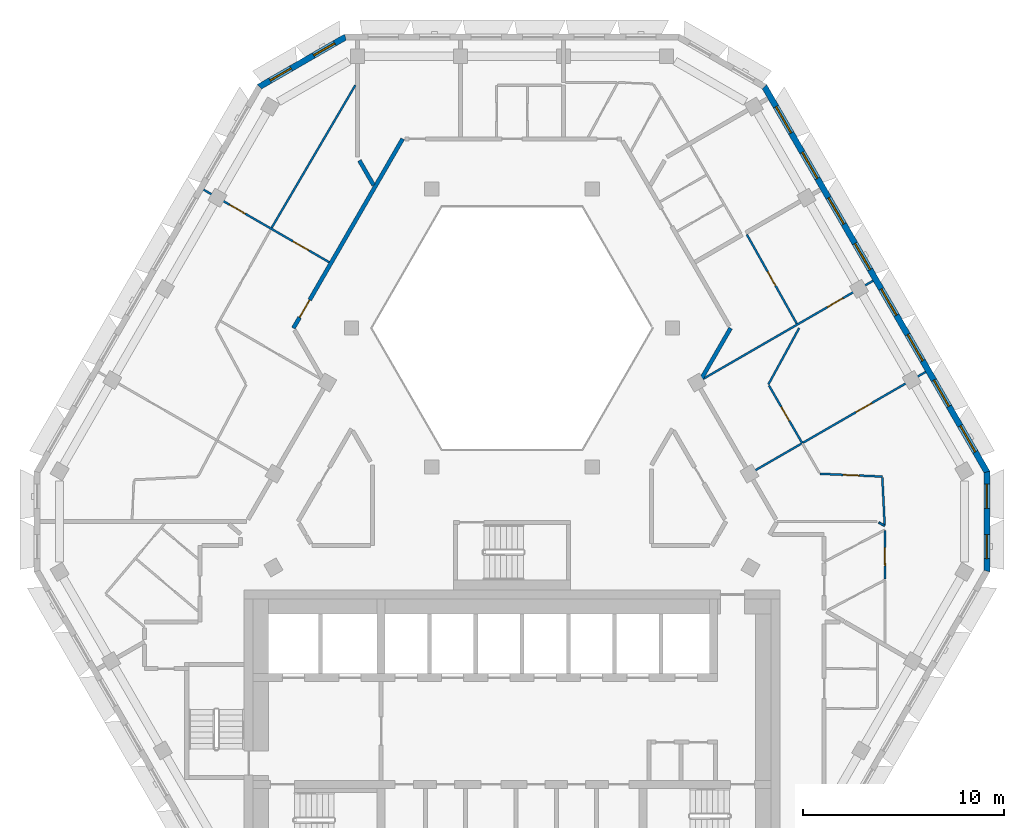
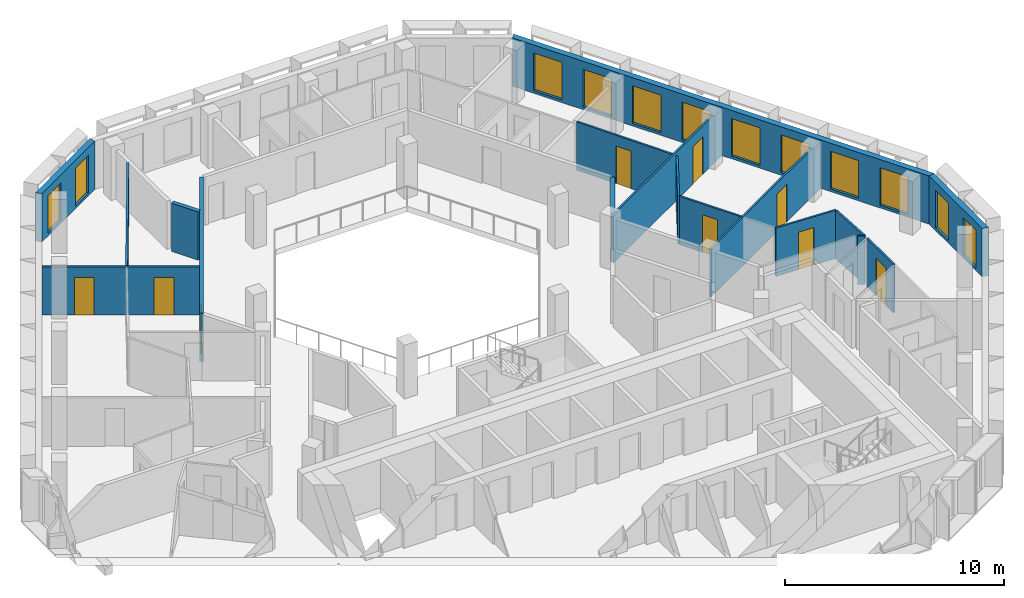
# One storey, part 7 of 16: 17 walls, 12 windows, 9 doors, 21 openings.
"""IFC4 building model written with IfcOpenShell, lengths in metres."""

from ifc_helpers import new_model, si_unit, direction, frame, frame_2d, origin, place, context, subcontext, project, spatial, polyline, rectangle, outline, extrude, material, layer, layer_set, type_object, element, fill, save


model = new_model("IFC4")

# Units and contexts
model_context = context("Model", 3, precision=1e-05, world=origin(), true_north=direction((0.0, 1.0)))
body_context = subcontext(model_context, "Body", "Model", "MODEL_VIEW")
ifc_project = project(units=[si_unit("LENGTHUNIT", "METRE"), si_unit("AREAUNIT", "SQUARE_METRE"), si_unit("VOLUMEUNIT", "CUBIC_METRE"), si_unit("PLANEANGLEUNIT", "RADIAN"), si_unit("MASSUNIT", "GRAM", prefix="KILO")], contexts=[model_context])

# Site, building, storey
site_placement = place(None, origin())
site = spatial("IfcSite", under=ifc_project, at=site_placement, CompositionType="ELEMENT")
building_placement = place(site_placement, origin())
building = spatial("IfcBuilding", under=site, at=building_placement, Name="Beryl Residences", CompositionType="ELEMENT")
storey_placement = place(building_placement, frame((0.0, 0.0, 226.800048828125)))
storey = spatial("IfcBuildingStorey", under=building, at=storey_placement, Name="L70", CompositionType="ELEMENT", Elevation=226.800048828125)

# Wall, openings, windows
ifc_material_1 = material(Name="Composite metal panel with mineral wool insulation")
ifc_layer_1 = layer(ifc_material_1, 0.300048828125)
ifc_layer_set_1 = layer_set([ifc_layer_1], Name="ES1 pale metal composite panel wall 300 mm")
wall_type_1 = type_object("IfcWallType", Name="ES1 pale metal composite panel wall 300 mm", PredefinedType="SOLIDWALL", material=ifc_layer_set_1)
wall_1_placement = place(storey_placement, frame((-8.239013671875, 22.469970703125, 0.0), z_axis=(0.0, 0.0, 1.0), x_axis=(-0.866022959057, -0.500004234368, 0.0)))
wall_1 = element("IfcWall", 1, at=wall_1_placement, inside=storey, type_object=wall_type_1, Name="ES1 external wall L70 N-NW", PredefinedType="SOLIDWALL", context=body_context, shape_type="SweptSolid", body=[
    extrude(outline(polyline([(0.0, -0.14990234375), (5.0, -0.14990234375), (4.919677734375, 0.14990234375), (0.080322265625, 0.14990234375), (0.0, -0.14990234375)])), origin(), (0.0, 0.0, 1.0), 2.699951171875),
])
opening_1_placement = place(wall_1_placement, frame((0.64990234375, 0.0, 0.14990234375)))
opening_1 = element("IfcOpeningElement", 2, at=opening_1_placement, cuts=wall_1, Name="Opening W2", PredefinedType="OPENING", context=body_context, shape_type="SweptSolid", body=[
    extrude(rectangle(XDim=1.199951171875, YDim=2.10009765625, at=frame_2d((0.60009765625, 1.050048828125))), frame((0.0, 0.159912109375, 0.0), z_axis=(0.0, -1.0, 0.0), x_axis=(1.0, 0.0, 0.0)), (0.0, 0.0, 1.0), 0.320068359375),
])
opening_2_placement = place(wall_1_placement, frame((3.14892578125, 0.0, 0.14990234375)))
opening_2 = element("IfcOpeningElement", 3, at=opening_2_placement, cuts=wall_1, Name="Opening W2", PredefinedType="OPENING", context=body_context, shape_type="SweptSolid", body=[
    extrude(rectangle(XDim=1.199951171875, YDim=2.10009765625, at=frame_2d((0.60009765625, 1.050048828125))), frame((0.0, 0.159912109375, 0.0), z_axis=(0.0, -1.0, 0.0), x_axis=(1.0, 0.0, 0.0)), (0.0, 0.0, 1.0), 0.320068359375),
])
ifc_material_2 = material(Name="Aluminium and clear glass", Category="aluminium")
window_type_1 = type_object("IfcWindowType", Name="W2 chamfer window 1200 x 2100 mm", PartitioningType="SINGLE_PANEL", PredefinedType="WINDOW", material=ifc_material_2)
window_1_placement = place(opening_1_placement, origin())
window_1 = element("IfcWindow", 4, at=window_1_placement, inside=storey, type_object=window_type_1, Name="W2 window L70 N-NW 1", OverallHeight=2.10009765625, OverallWidth=1.199951171875, PartitioningType="SINGLE_PANEL", PredefinedType="WINDOW", context=body_context, shape_type="SweptSolid", body=[
    extrude(rectangle(XDim=1.199951171875, YDim=2.10009765625, at=frame_2d((0.60009765625, 1.050048828125))), frame((0.0, 0.030029296875, 0.0), z_axis=(0.0, -1.0, 0.0), x_axis=(1.0, 0.0, 0.0)), (0.0, 0.0, 1.0), 0.06005859375),
])
fill(opening_1, window_1)
window_2_placement = place(opening_2_placement, origin())
window_2 = element("IfcWindow", 5, at=window_2_placement, inside=storey, type_object=window_type_1, Name="W2 window L70 N-NW 2", OverallHeight=2.10009765625, OverallWidth=1.199951171875, PartitioningType="SINGLE_PANEL", PredefinedType="WINDOW", context=body_context, shape_type="SweptSolid", body=[
    extrude(rectangle(XDim=1.199951171875, YDim=2.10009765625, at=frame_2d((0.60009765625, 1.050048828125))), frame((0.0, 0.030029296875, 0.0), z_axis=(0.0, -1.0, 0.0), x_axis=(1.0, 0.0, 0.0)), (0.0, 0.0, 1.0), 0.06005859375),
])
fill(opening_2, window_2)

wall_2_placement = place(storey_placement, frame((23.5791015625, -4.10009765625, 0.0), z_axis=(0.0, 0.0, 1.0), x_axis=(0.0, 1.0, 0.0)))
wall_2 = element("IfcWall", 6, at=wall_2_placement, inside=storey, type_object=wall_type_1, Name="ES1 external wall L70 SE-NE", PredefinedType="SOLIDWALL", context=body_context, shape_type="SweptSolid", body=[
    extrude(outline(polyline([(0.0, -0.14990234375), (5.0, -0.14990234375), (4.919677734375, 0.14990234375), (0.080322265625, 0.14990234375), (0.0, -0.14990234375)])), origin(), (0.0, 0.0, 1.0), 2.699951171875),
])
opening_3_placement = place(wall_2_placement, frame((0.64990234375, 0.0, 0.14990234375)))
opening_3 = element("IfcOpeningElement", 7, at=opening_3_placement, cuts=wall_2, Name="Opening W2", PredefinedType="OPENING", context=body_context, shape_type="SweptSolid", body=[
    extrude(rectangle(XDim=1.199951171875, YDim=2.10009765625, at=frame_2d((0.60009765625, 1.050048828125))), frame((0.0, 0.159912109375, 0.0), z_axis=(0.0, -1.0, 0.0), x_axis=(1.0, 0.0, 0.0)), (0.0, 0.0, 1.0), 0.320068359375),
])
opening_4_placement = place(wall_2_placement, frame((3.14990234375, 0.0, 0.14990234375)))
opening_4 = element("IfcOpeningElement", 8, at=opening_4_placement, cuts=wall_2, Name="Opening W2", PredefinedType="OPENING", context=body_context, shape_type="SweptSolid", body=[
    extrude(rectangle(XDim=1.199951171875, YDim=2.10009765625, at=frame_2d((0.60009765625, 1.050048828125))), frame((0.0, 0.159912109375, 0.0), z_axis=(0.0, -1.0, 0.0), x_axis=(1.0, 0.0, 0.0)), (0.0, 0.0, 1.0), 0.320068359375),
])
window_3_placement = place(opening_3_placement, origin())
window_3 = element("IfcWindow", 9, at=window_3_placement, inside=storey, type_object=window_type_1, Name="W2 window L70 SE-NE 1", OverallHeight=2.10009765625, OverallWidth=1.199951171875, PartitioningType="SINGLE_PANEL", PredefinedType="WINDOW", context=body_context, shape_type="SweptSolid", body=[
    extrude(rectangle(XDim=1.199951171875, YDim=2.10009765625, at=frame_2d((0.60009765625, 1.050048828125))), frame((0.0, 0.030029296875, 0.0), z_axis=(0.0, -1.0, 0.0), x_axis=(1.0, 0.0, 0.0)), (0.0, 0.0, 1.0), 0.06005859375),
])
fill(opening_3, window_3)
window_4_placement = place(opening_4_placement, origin())
window_4 = element("IfcWindow", 10, at=window_4_placement, inside=storey, type_object=window_type_1, Name="W2 window L70 SE-NE 2", OverallHeight=2.10009765625, OverallWidth=1.199951171875, PartitioningType="SINGLE_PANEL", PredefinedType="WINDOW", context=body_context, shape_type="SweptSolid", body=[
    extrude(rectangle(XDim=1.199951171875, YDim=2.10009765625, at=frame_2d((0.60009765625, 1.050048828125))), frame((0.0, 0.030029296875, 0.0), z_axis=(0.0, -1.0, 0.0), x_axis=(1.0, 0.0, 0.0)), (0.0, 0.0, 1.0), 0.06005859375),
])
fill(opening_4, window_4)

wall_3_placement = place(storey_placement, frame((23.59912109375, 0.824951171875, 0.0), z_axis=(0.0, 0.0, 1.0), x_axis=(-0.500003656944, 0.866023292436, 0.0)))
wall_3 = element("IfcWall", 11, at=wall_3_placement, inside=storey, type_object=wall_type_1, Name="ES1 external wall L70 NE", PredefinedType="SOLIDWALL", context=body_context, shape_type="SweptSolid", body=[
    extrude(outline(polyline([(0.0, -0.14990234375), (22.170166015625, -0.14990234375), (22.08984375, 0.14990234375), (0.080322265625, 0.14990234375), (0.0, -0.14990234375)])), origin(), (0.0, 0.0, 1.0), 2.699951171875),
])
opening_5_placement = place(wall_3_placement, frame((1.19091796875, 0.0, 0.14990234375)))
opening_5 = element("IfcOpeningElement", 12, at=opening_5_placement, cuts=wall_3, Name="Opening W1", PredefinedType="OPENING", context=body_context, shape_type="SweptSolid", body=[
    extrude(rectangle(XDim=1.5, YDim=2.10009765625, at=frame_2d((0.75, 1.050048828125))), frame((0.0, 0.159912109375, 0.0), z_axis=(0.0, -1.0, 0.0), x_axis=(1.0, 0.0, 0.0)), (0.0, 0.0, 1.0), 0.320068359375),
])
opening_6_placement = place(wall_3_placement, frame((3.803955078125, 0.0, 0.14990234375)))
opening_6 = element("IfcOpeningElement", 13, at=opening_6_placement, cuts=wall_3, Name="Opening W1", PredefinedType="OPENING", context=body_context, shape_type="SweptSolid", body=[
    extrude(rectangle(XDim=1.5, YDim=2.10009765625, at=frame_2d((0.75, 1.050048828125))), frame((0.0, 0.159912109375, 0.0), z_axis=(0.0, -1.0, 0.0), x_axis=(1.0, 0.0, 0.0)), (0.0, 0.0, 1.0), 0.320068359375),
])
opening_7_placement = place(wall_3_placement, frame((6.4169921875, 0.0, 0.14990234375)))
opening_7 = element("IfcOpeningElement", 14, at=opening_7_placement, cuts=wall_3, Name="Opening W1", PredefinedType="OPENING", context=body_context, shape_type="SweptSolid", body=[
    extrude(rectangle(XDim=1.5, YDim=2.10009765625, at=frame_2d((0.75, 1.050048828125))), frame((0.0, 0.159912109375, 0.0), z_axis=(0.0, -1.0, 0.0), x_axis=(1.0, 0.0, 0.0)), (0.0, 0.0, 1.0), 0.320068359375),
])
opening_8_placement = place(wall_3_placement, frame((9.029052734375, 0.0, 0.14990234375)))
opening_8 = element("IfcOpeningElement", 15, at=opening_8_placement, cuts=wall_3, Name="Opening W1", PredefinedType="OPENING", context=body_context, shape_type="SweptSolid", body=[
    extrude(rectangle(XDim=1.5, YDim=2.10009765625, at=frame_2d((0.75, 1.050048828125))), frame((0.0, 0.159912109375, 0.0), z_axis=(0.0, -1.0, 0.0), x_axis=(1.0, 0.0, 0.0)), (0.0, 0.0, 1.0), 0.320068359375),
])
opening_9_placement = place(wall_3_placement, frame((11.64111328125, 0.0, 0.14990234375)))
opening_9 = element("IfcOpeningElement", 16, at=opening_9_placement, cuts=wall_3, Name="Opening W1", PredefinedType="OPENING", context=body_context, shape_type="SweptSolid", body=[
    extrude(rectangle(XDim=1.5, YDim=2.10009765625, at=frame_2d((0.75, 1.050048828125))), frame((0.0, 0.159912109375, 0.0), z_axis=(0.0, -1.0, 0.0), x_axis=(1.0, 0.0, 0.0)), (0.0, 0.0, 1.0), 0.320068359375),
])
opening_10_placement = place(wall_3_placement, frame((14.25390625, 0.0, 0.14990234375)))
opening_10 = element("IfcOpeningElement", 17, at=opening_10_placement, cuts=wall_3, Name="Opening W1", PredefinedType="OPENING", context=body_context, shape_type="SweptSolid", body=[
    extrude(rectangle(XDim=1.5, YDim=2.10009765625, at=frame_2d((0.75, 1.050048828125))), frame((0.0, 0.159912109375, 0.0), z_axis=(0.0, -1.0, 0.0), x_axis=(1.0, 0.0, 0.0)), (0.0, 0.0, 1.0), 0.320068359375),
])
opening_11_placement = place(wall_3_placement, frame((16.865966796875, 0.0, 0.14990234375)))
opening_11 = element("IfcOpeningElement", 18, at=opening_11_placement, cuts=wall_3, Name="Opening W1", PredefinedType="OPENING", context=body_context, shape_type="SweptSolid", body=[
    extrude(rectangle(XDim=1.5, YDim=2.10009765625, at=frame_2d((0.75, 1.050048828125))), frame((0.0, 0.159912109375, 0.0), z_axis=(0.0, -1.0, 0.0), x_axis=(1.0, 0.0, 0.0)), (0.0, 0.0, 1.0), 0.320068359375),
])
opening_12_placement = place(wall_3_placement, frame((19.47900390625, 0.0, 0.14990234375)))
opening_12 = element("IfcOpeningElement", 19, at=opening_12_placement, cuts=wall_3, Name="Opening W1", PredefinedType="OPENING", context=body_context, shape_type="SweptSolid", body=[
    extrude(rectangle(XDim=1.5, YDim=2.10009765625, at=frame_2d((0.75, 1.050048828125))), frame((0.0, 0.159912109375, 0.0), z_axis=(0.0, -1.0, 0.0), x_axis=(1.0, 0.0, 0.0)), (0.0, 0.0, 1.0), 0.320068359375),
])
ifc_material_3 = material(Name="Aluminium and clear glass", Category="aluminium")
window_type_2 = type_object("IfcWindowType", Name="W1 cell window 1500 x 2100 mm", PartitioningType="SINGLE_PANEL", PredefinedType="WINDOW", material=ifc_material_3)
window_5_placement = place(opening_5_placement, origin())
window_5 = element("IfcWindow", 20, at=window_5_placement, inside=storey, type_object=window_type_2, Name="W1 window L70 NE 1", OverallHeight=2.10009765625, OverallWidth=1.5, PartitioningType="SINGLE_PANEL", PredefinedType="WINDOW", context=body_context, shape_type="SweptSolid", body=[
    extrude(rectangle(XDim=1.5, YDim=2.10009765625, at=frame_2d((0.75, 1.050048828125))), frame((0.0, 0.030029296875, 0.0), z_axis=(0.0, -1.0, 0.0), x_axis=(1.0, 0.0, 0.0)), (0.0, 0.0, 1.0), 0.06005859375),
])
fill(opening_5, window_5)
window_6_placement = place(opening_6_placement, origin())
window_6 = element("IfcWindow", 21, at=window_6_placement, inside=storey, type_object=window_type_2, Name="W1 window L70 NE 2", OverallHeight=2.10009765625, OverallWidth=1.5, PartitioningType="SINGLE_PANEL", PredefinedType="WINDOW", context=body_context, shape_type="SweptSolid", body=[
    extrude(rectangle(XDim=1.5, YDim=2.10009765625, at=frame_2d((0.75, 1.050048828125))), frame((0.0, 0.030029296875, 0.0), z_axis=(0.0, -1.0, 0.0), x_axis=(1.0, 0.0, 0.0)), (0.0, 0.0, 1.0), 0.06005859375),
])
fill(opening_6, window_6)
window_7_placement = place(opening_7_placement, origin())
window_7 = element("IfcWindow", 22, at=window_7_placement, inside=storey, type_object=window_type_2, Name="W1 window L70 NE 3", OverallHeight=2.10009765625, OverallWidth=1.5, PartitioningType="SINGLE_PANEL", PredefinedType="WINDOW", context=body_context, shape_type="SweptSolid", body=[
    extrude(rectangle(XDim=1.5, YDim=2.10009765625, at=frame_2d((0.75, 1.050048828125))), frame((0.0, 0.030029296875, 0.0), z_axis=(0.0, -1.0, 0.0), x_axis=(1.0, 0.0, 0.0)), (0.0, 0.0, 1.0), 0.06005859375),
])
fill(opening_7, window_7)
window_8_placement = place(opening_8_placement, origin())
window_8 = element("IfcWindow", 23, at=window_8_placement, inside=storey, type_object=window_type_2, Name="W1 window L70 NE 4", OverallHeight=2.10009765625, OverallWidth=1.5, PartitioningType="SINGLE_PANEL", PredefinedType="WINDOW", context=body_context, shape_type="SweptSolid", body=[
    extrude(rectangle(XDim=1.5, YDim=2.10009765625, at=frame_2d((0.75, 1.050048828125))), frame((0.0, 0.030029296875, 0.0), z_axis=(0.0, -1.0, 0.0), x_axis=(1.0, 0.0, 0.0)), (0.0, 0.0, 1.0), 0.06005859375),
])
fill(opening_8, window_8)
window_9_placement = place(opening_9_placement, origin())
window_9 = element("IfcWindow", 24, at=window_9_placement, inside=storey, type_object=window_type_2, Name="W1 window L70 NE 5", OverallHeight=2.10009765625, OverallWidth=1.5, PartitioningType="SINGLE_PANEL", PredefinedType="WINDOW", context=body_context, shape_type="SweptSolid", body=[
    extrude(rectangle(XDim=1.5, YDim=2.10009765625, at=frame_2d((0.75, 1.050048828125))), frame((0.0, 0.030029296875, 0.0), z_axis=(0.0, -1.0, 0.0), x_axis=(1.0, 0.0, 0.0)), (0.0, 0.0, 1.0), 0.06005859375),
])
fill(opening_9, window_9)
window_10_placement = place(opening_10_placement, origin())
window_10 = element("IfcWindow", 25, at=window_10_placement, inside=storey, type_object=window_type_2, Name="W1 window L70 NE 6", OverallHeight=2.10009765625, OverallWidth=1.5, PartitioningType="SINGLE_PANEL", PredefinedType="WINDOW", context=body_context, shape_type="SweptSolid", body=[
    extrude(rectangle(XDim=1.5, YDim=2.10009765625, at=frame_2d((0.75, 1.050048828125))), frame((0.0, 0.030029296875, 0.0), z_axis=(0.0, -1.0, 0.0), x_axis=(1.0, 0.0, 0.0)), (0.0, 0.0, 1.0), 0.06005859375),
])
fill(opening_10, window_10)
window_11_placement = place(opening_11_placement, origin())
window_11 = element("IfcWindow", 26, at=window_11_placement, inside=storey, type_object=window_type_2, Name="W1 window L70 NE 7", OverallHeight=2.10009765625, OverallWidth=1.5, PartitioningType="SINGLE_PANEL", PredefinedType="WINDOW", context=body_context, shape_type="SweptSolid", body=[
    extrude(rectangle(XDim=1.5, YDim=2.10009765625, at=frame_2d((0.75, 1.050048828125))), frame((0.0, 0.030029296875, 0.0), z_axis=(0.0, -1.0, 0.0), x_axis=(1.0, 0.0, 0.0)), (0.0, 0.0, 1.0), 0.06005859375),
])
fill(opening_11, window_11)
window_12_placement = place(opening_12_placement, origin())
window_12 = element("IfcWindow", 27, at=window_12_placement, inside=storey, type_object=window_type_2, Name="W1 window L70 NE 8", OverallHeight=2.10009765625, OverallWidth=1.5, PartitioningType="SINGLE_PANEL", PredefinedType="WINDOW", context=body_context, shape_type="SweptSolid", body=[
    extrude(rectangle(XDim=1.5, YDim=2.10009765625, at=frame_2d((0.75, 1.050048828125))), frame((0.0, 0.030029296875, 0.0), z_axis=(0.0, -1.0, 0.0), x_axis=(1.0, 0.0, 0.0)), (0.0, 0.0, 1.0), 0.06005859375),
])
fill(opening_12, window_12)

# Wall, opening, door
ifc_material_4 = material(Name="Gypsum board partition on steel studs", Category="steel")
ifc_layer_2 = layer(ifc_material_4, 0.10009765625)
ifc_layer_set_2 = layer_set([ifc_layer_2], Name="PT1 partition 100 mm gypsum board on steel studs")
wall_type_2 = type_object("IfcWallType", Name="PT1 partition 100 mm gypsum board on steel studs", PredefinedType="PARTITIONING", material=ifc_layer_set_2)
wall_4_placement = place(storey_placement, frame((12.759033203125, 5.14990234375, 0.0), z_axis=(0.0, 0.0, 1.0), x_axis=(0.499905801698, -0.866079782369, 0.0)))
wall_4 = element("IfcWall", 28, at=wall_4_placement, inside=storey, type_object=wall_type_2, Name="Wall PT1 L70 005", PredefinedType="PARTITIONING", context=body_context, shape_type="SweptSolid", body=[
    extrude(rectangle(XDim=3.304443359375, YDim=0.10009765625, at=frame_2d((1.65234375, 0.0))), origin(), (0.0, 0.0, 1.0), 2.699951171875),
])
opening_13_placement = place(wall_4_placement, frame((1.222900390625, 0.0, 0.0)))
opening_13 = element("IfcOpeningElement", 29, at=opening_13_placement, cuts=wall_4, Name="Opening D1911", PredefinedType="OPENING", context=body_context, shape_type="SweptSolid", body=[
    extrude(rectangle(XDim=0.800048828125, YDim=2.10009765625, at=frame_2d((0.39990234375, 1.050048828125))), frame((0.0, 0.06005859375, 0.0), z_axis=(0.0, -1.0, 0.0), x_axis=(1.0, 0.0, 0.0)), (0.0, 0.0, 1.0), 0.1201171875),
])
ifc_material_5 = material(Name="Timber door leaf", Category="wood")
door_type_1 = type_object("IfcDoorType", Name="D3 bathroom door 800 x 2100 mm", OperationType="SINGLE_SWING_LEFT", PredefinedType="DOOR", material=ifc_material_5)
door_1_placement = place(opening_13_placement, origin())
door_1 = element("IfcDoor", 30, at=door_1_placement, inside=storey, type_object=door_type_1, Name="Door D1911 L70 001", OperationType="SINGLE_SWING_LEFT", OverallHeight=2.10009765625, OverallWidth=0.800048828125, PredefinedType="DOOR", context=body_context, shape_type="SweptSolid", body=[
    extrude(rectangle(XDim=0.800048828125, YDim=2.10009765625, at=frame_2d((0.39990234375, 1.050048828125))), frame((0.0, 0.02490234375, 0.0), z_axis=(0.0, -1.0, 0.0), x_axis=(1.0, 0.0, 0.0)), (0.0, 0.0, 1.0), 0.050048828125),
])
fill(opening_13, door_1)

wall_5_placement = place(storey_placement, frame((11.659912109375, 12.64990234375, 0.0), z_axis=(0.0, 0.0, 1.0), x_axis=(0.488650242737, -0.872479764965, 0.0)))
wall_5 = element("IfcWall", 31, at=wall_5_placement, inside=storey, type_object=wall_type_2, Name="Wall PT1 L70 007", PredefinedType="PARTITIONING", context=body_context, shape_type="SweptSolid", body=[
    extrude(rectangle(XDim=5.0751953125, YDim=0.10009765625, at=frame_2d((2.53759765625, 0.0))), origin(), (0.0, 0.0, 1.0), 2.699951171875),
])
opening_14_placement = place(wall_5_placement, frame((2.113037109375, 0.0, 0.0)))
opening_14 = element("IfcOpeningElement", 32, at=opening_14_placement, cuts=wall_5, Name="Opening D1912", PredefinedType="OPENING", context=body_context, shape_type="SweptSolid", body=[
    extrude(rectangle(XDim=0.800048828125, YDim=2.10009765625, at=frame_2d((0.39990234375, 1.050048828125))), frame((0.0, 0.06005859375, 0.0), z_axis=(0.0, -1.0, 0.0), x_axis=(1.0, 0.0, 0.0)), (0.0, 0.0, 1.0), 0.1201171875),
])
door_2_placement = place(opening_14_placement, origin())
door_2 = element("IfcDoor", 33, at=door_2_placement, inside=storey, type_object=door_type_1, Name="Door D1912 L70 001", OperationType="SINGLE_SWING_RIGHT", OverallHeight=2.10009765625, OverallWidth=0.800048828125, PredefinedType="DOOR", context=body_context, shape_type="SweptSolid", body=[
    extrude(rectangle(XDim=0.800048828125, YDim=2.10009765625, at=frame_2d((0.39990234375, 1.050048828125))), frame((0.0, 0.02490234375, 0.0), z_axis=(0.0, -1.0, 0.0), x_axis=(1.0, 0.0, 0.0)), (0.0, 0.0, 1.0), 0.050048828125),
])
fill(opening_14, door_2)

# Wall
wall_6_placement = place(storey_placement, frame((18.387939453125, 0.5791015625, 0.0), z_axis=(0.0, 0.0, 1.0), x_axis=(0.049097293833, -0.998794000652, 0.0)))
element("IfcWall", 34, at=wall_6_placement, inside=storey, type_object=wall_type_2, Name="Wall PT1 L70 009", PredefinedType="PARTITIONING", context=body_context, shape_type="SweptSolid", body=[
    extrude(rectangle(XDim=2.362060546875, YDim=0.10009765625, at=frame_2d((1.18115234375, 0.0))), origin(), (0.0, 0.0, 1.0), 2.699951171875),
])

# Wall, opening, door
wall_7_placement = place(storey_placement, frame((18.514892578125, -2.052978515625, 0.0), z_axis=(0.0, 0.0, 1.0), x_axis=(0.003338710651, -0.99999442649, 0.0)))
wall_7 = element("IfcWall", 35, at=wall_7_placement, inside=storey, type_object=wall_type_2, Name="Wall PT1 L70 010", PredefinedType="PARTITIONING", context=body_context, shape_type="SweptSolid", body=[
    extrude(rectangle(XDim=2.4130859375, YDim=0.10009765625, at=frame_2d((1.20654296875, 0.0))), origin(), (0.0, 0.0, 1.0), 2.699951171875),
])
opening_15_placement = place(wall_7_placement, frame((0.84912109375, 0.0, 0.0)))
opening_15 = element("IfcOpeningElement", 36, at=opening_15_placement, cuts=wall_7, Name="Opening D1907", PredefinedType="OPENING", context=body_context, shape_type="SweptSolid", body=[
    extrude(rectangle(XDim=0.89990234375, YDim=2.10009765625, at=frame_2d((0.449951171875, 1.050048828125))), frame((0.0, 0.06005859375, 0.0), z_axis=(0.0, -1.0, 0.0), x_axis=(1.0, 0.0, 0.0)), (0.0, 0.0, 1.0), 0.1201171875),
])
ifc_material_6 = material(Name="Timber door leaf", Category="wood")
door_type_2 = type_object("IfcDoorType", Name="D2 room door 900 x 2100 mm", OperationType="SINGLE_SWING_LEFT", PredefinedType="DOOR", material=ifc_material_6)
door_3_placement = place(opening_15_placement, origin())
door_3 = element("IfcDoor", 37, at=door_3_placement, inside=storey, type_object=door_type_2, Name="Door D1907 L70 001", OperationType="SINGLE_SWING_LEFT", OverallHeight=2.10009765625, OverallWidth=0.89990234375, PredefinedType="DOOR", context=body_context, shape_type="SweptSolid", body=[
    extrude(rectangle(XDim=0.89990234375, YDim=2.10009765625, at=frame_2d((0.449951171875, 1.050048828125))), frame((0.0, 0.02490234375, 0.0), z_axis=(0.0, -1.0, 0.0), x_axis=(1.0, 0.0, 0.0)), (0.0, 0.0, 1.0), 0.050048828125),
])
fill(opening_15, door_3)

wall_8_placement = place(storey_placement, frame((15.2880859375, 0.76806640625, 0.0), z_axis=(0.0, 0.0, 1.0), x_axis=(0.999006028269, -0.044575278833, 0.0)))
wall_8 = element("IfcWall", 38, at=wall_8_placement, inside=storey, type_object=wall_type_2, Name="Wall PT1 L70 011", PredefinedType="PARTITIONING", context=body_context, shape_type="SweptSolid", body=[
    extrude(rectangle(XDim=3.10009765625, YDim=0.10009765625, at=frame_2d((1.550048828125, 0.0))), origin(), (0.0, 0.0, 1.0), 2.699951171875),
])
opening_16_placement = place(wall_8_placement, frame((1.14990234375, 0.0, 0.0)))
opening_16 = element("IfcOpeningElement", 39, at=opening_16_placement, cuts=wall_8, Name="Opening D1909", PredefinedType="OPENING", context=body_context, shape_type="SweptSolid", body=[
    extrude(rectangle(XDim=0.800048828125, YDim=2.10009765625, at=frame_2d((0.39990234375, 1.050048828125))), frame((0.0, 0.06005859375, 0.0), z_axis=(0.0, -1.0, 0.0), x_axis=(1.0, 0.0, 0.0)), (0.0, 0.0, 1.0), 0.1201171875),
])
door_4_placement = place(opening_16_placement, origin())
door_4 = element("IfcDoor", 40, at=door_4_placement, inside=storey, type_object=door_type_1, Name="Door D1909 L70 001", OperationType="SINGLE_SWING_LEFT", OverallHeight=2.10009765625, OverallWidth=0.800048828125, PredefinedType="DOOR", context=body_context, shape_type="SweptSolid", body=[
    extrude(rectangle(XDim=0.800048828125, YDim=2.10009765625, at=frame_2d((0.39990234375, 1.050048828125))), frame((0.0, 0.02490234375, 0.0), z_axis=(0.0, -1.0, 0.0), x_axis=(1.0, 0.0, 0.0)), (0.0, 0.0, 1.0), 0.050048828125),
])
fill(opening_16, door_4)

# Wall, openings, doors
wall_9_placement = place(storey_placement, frame((-15.31396484375, 14.875, 0.0), z_axis=(0.0, 0.0, 1.0), x_axis=(0.866001485781, -0.500041424909, 0.0)))
wall_9 = element("IfcWall", 41, at=wall_9_placement, inside=storey, type_object=wall_type_2, Name="Wall PT1 L70 015", PredefinedType="PARTITIONING", context=body_context, shape_type="SweptSolid", body=[
    extrude(rectangle(XDim=7.19970703125, YDim=0.10009765625, at=frame_2d((3.599853515625, 0.0))), origin(), (0.0, 0.0, 1.0), 2.699951171875),
])
opening_17_placement = place(wall_9_placement, frame((5.136962890625, 0.0, 0.0)))
opening_17 = element("IfcOpeningElement", 42, at=opening_17_placement, cuts=wall_9, Name="Opening D1928", PredefinedType="OPENING", context=body_context, shape_type="SweptSolid", body=[
    extrude(rectangle(XDim=0.89990234375, YDim=2.10009765625, at=frame_2d((0.449951171875, 1.050048828125))), frame((0.0, 0.06005859375, 0.0), z_axis=(0.0, -1.0, 0.0), x_axis=(1.0, 0.0, 0.0)), (0.0, 0.0, 1.0), 0.1201171875),
])
opening_18_placement = place(wall_9_placement, frame((1.487060546875, 0.0, 0.0)))
opening_18 = element("IfcOpeningElement", 43, at=opening_18_placement, cuts=wall_9, Name="Opening D1930", PredefinedType="OPENING", context=body_context, shape_type="SweptSolid", body=[
    extrude(rectangle(XDim=0.89990234375, YDim=2.10009765625, at=frame_2d((0.449951171875, 1.050048828125))), frame((0.0, 0.06005859375, 0.0), z_axis=(0.0, -1.0, 0.0), x_axis=(1.0, 0.0, 0.0)), (0.0, 0.0, 1.0), 0.1201171875),
])
door_5_placement = place(opening_17_placement, origin())
door_5 = element("IfcDoor", 44, at=door_5_placement, inside=storey, type_object=door_type_2, Name="Door D1928 L70 001", OperationType="SINGLE_SWING_RIGHT", OverallHeight=2.10009765625, OverallWidth=0.89990234375, PredefinedType="DOOR", context=body_context, shape_type="SweptSolid", body=[
    extrude(rectangle(XDim=0.89990234375, YDim=2.10009765625, at=frame_2d((0.449951171875, 1.050048828125))), frame((0.0, 0.02490234375, 0.0), z_axis=(0.0, -1.0, 0.0), x_axis=(1.0, 0.0, 0.0)), (0.0, 0.0, 1.0), 0.050048828125),
])
fill(opening_17, door_5)
door_6_placement = place(opening_18_placement, origin())
door_6 = element("IfcDoor", 45, at=door_6_placement, inside=storey, type_object=door_type_2, Name="Door D1930 L70 001", OperationType="SINGLE_SWING_RIGHT", OverallHeight=2.10009765625, OverallWidth=0.89990234375, PredefinedType="DOOR", context=body_context, shape_type="SweptSolid", body=[
    extrude(rectangle(XDim=0.89990234375, YDim=2.10009765625, at=frame_2d((0.449951171875, 1.050048828125))), frame((0.0, 0.02490234375, 0.0), z_axis=(0.0, -1.0, 0.0), x_axis=(1.0, 0.0, 0.0)), (0.0, 0.0, 1.0), 0.050048828125),
])
fill(opening_18, door_6)

# Walls
wall_10_placement = place(storey_placement, frame((18.2119140625, -1.64892578125, 0.0), z_axis=(0.0, 0.0, 1.0), x_axis=(0.865622947871, -0.500696427109, 0.0)))
element("IfcWall", 46, at=wall_10_placement, inside=storey, type_object=wall_type_2, Name="Wall PT1 L70 016", PredefinedType="PARTITIONING", context=body_context, shape_type="SweptSolid", body=[
    extrude(rectangle(XDim=0.33984375, YDim=0.10009765625, at=frame_2d((0.169921875, 0.0))), origin(), (0.0, 0.0, 1.0), 2.699951171875),
])
wall_11_placement = place(storey_placement, frame((-11.93408203125, 12.98095703125, 0.0), z_axis=(0.0, 0.0, 1.0), x_axis=(0.506072703404, 0.862490822484, 0.0)))
element("IfcWall", 47, at=wall_11_placement, inside=storey, type_object=wall_type_2, Name="Wall PT1 L70 024", PredefinedType="PARTITIONING", context=body_context, shape_type="SweptSolid", body=[
    extrude(rectangle(XDim=8.212158203125, YDim=0.10009765625, at=frame_2d((4.10595703125, 0.0))), origin(), (0.0, 0.0, 1.0), 2.699951171875),
])
wall_12_placement = place(storey_placement, frame((12.72900390625, 5.200927734375, 0.0), z_axis=(0.0, 0.0, 1.0), x_axis=(0.478932598182, 0.877851676764, 0.0)))
element("IfcWall", 48, at=wall_12_placement, inside=storey, type_object=wall_type_2, Name="Wall PT1 L70 027", PredefinedType="PARTITIONING", context=body_context, shape_type="SweptSolid", body=[
    extrude(rectangle(XDim=3.1884765625, YDim=0.10009765625, at=frame_2d((1.59423828125, 0.0))), origin(), (0.0, 0.0, 1.0), 2.699951171875),
])

# Wall, opening, door
wall_13_placement = place(storey_placement, frame((11.87890625, 0.825927734375, 0.0), z_axis=(0.0, 0.0, 1.0), x_axis=(0.866065245018, 0.499930986609, 0.0)))
wall_13 = element("IfcWall", 49, at=wall_13_placement, inside=storey, type_object=wall_type_2, Name="Wall PT1 L70 040", PredefinedType="PARTITIONING", context=body_context, shape_type="SweptSolid", body=[
    extrude(rectangle(XDim=9.99951171875, YDim=0.10009765625, at=frame_2d((4.999755859375, 0.0))), origin(), (0.0, 0.0, 1.0), 2.699951171875),
])
opening_19_placement = place(wall_13_placement, frame((6.011962890625, 0.0, 0.0)))
opening_19 = element("IfcOpeningElement", 50, at=opening_19_placement, cuts=wall_13, Name="Opening D1908", PredefinedType="OPENING", context=body_context, shape_type="SweptSolid", body=[
    extrude(rectangle(XDim=0.89990234375, YDim=2.10009765625, at=frame_2d((0.449951171875, 1.050048828125))), frame((0.0, 0.06005859375, 0.0), z_axis=(0.0, -1.0, 0.0), x_axis=(1.0, 0.0, 0.0)), (0.0, 0.0, 1.0), 0.1201171875),
])
door_7_placement = place(opening_19_placement, origin())
door_7 = element("IfcDoor", 51, at=door_7_placement, inside=storey, type_object=door_type_2, Name="Door D1908 L70 001", OperationType="SINGLE_SWING_RIGHT", OverallHeight=2.10009765625, OverallWidth=0.89990234375, PredefinedType="DOOR", context=body_context, shape_type="SweptSolid", body=[
    extrude(rectangle(XDim=0.89990234375, YDim=2.10009765625, at=frame_2d((0.449951171875, 1.050048828125))), frame((0.0, 0.02490234375, 0.0), z_axis=(0.0, -1.0, 0.0), x_axis=(1.0, 0.0, 0.0)), (0.0, 0.0, 1.0), 0.050048828125),
])
fill(opening_19, door_7)

wall_14_placement = place(storey_placement, frame((9.35400390625, 5.40087890625, 0.0), z_axis=(0.0, 0.0, 1.0), x_axis=(0.866018411306, 0.500012111133, 0.0)))
wall_14 = element("IfcWall", 52, at=wall_14_placement, inside=storey, type_object=wall_type_2, Name="Wall PT1 L70 041", PredefinedType="PARTITIONING", context=body_context, shape_type="SweptSolid", body=[
    extrude(rectangle(XDim=9.898193359375, YDim=0.10009765625, at=frame_2d((4.94921875, 0.0))), origin(), (0.0, 0.0, 1.0), 2.699951171875),
])
opening_20_placement = place(wall_14_placement, frame((7.277099609375, 0.0, 0.0)))
opening_20 = element("IfcOpeningElement", 53, at=opening_20_placement, cuts=wall_14, Name="Opening D1910", PredefinedType="OPENING", context=body_context, shape_type="SweptSolid", body=[
    extrude(rectangle(XDim=0.89990234375, YDim=2.10009765625, at=frame_2d((0.449951171875, 1.050048828125))), frame((0.0, 0.06005859375, 0.0), z_axis=(0.0, -1.0, 0.0), x_axis=(1.0, 0.0, 0.0)), (0.0, 0.0, 1.0), 0.1201171875),
])
door_8_placement = place(opening_20_placement, origin())
door_8 = element("IfcDoor", 54, at=door_8_placement, inside=storey, type_object=door_type_2, Name="Door D1910 L70 001", OperationType="SINGLE_SWING_RIGHT", OverallHeight=2.10009765625, OverallWidth=0.89990234375, PredefinedType="DOOR", context=body_context, shape_type="SweptSolid", body=[
    extrude(rectangle(XDim=0.89990234375, YDim=2.10009765625, at=frame_2d((0.449951171875, 1.050048828125))), frame((0.0, 0.02490234375, 0.0), z_axis=(0.0, -1.0, 0.0), x_axis=(1.0, 0.0, 0.0)), (0.0, 0.0, 1.0), 0.050048828125),
])
fill(opening_20, door_8)

# Walls
ifc_material_7 = material(Name="Acoustic double stud gypsum board wall")
ifc_layer_3 = layer(ifc_material_7, 0.199951171875)
ifc_layer_set_3 = layer_set([ifc_layer_3], Name="PT3 party wall 200 mm acoustic double stud")
wall_type_3 = type_object("IfcWallType", Name="PT3 party wall 200 mm acoustic double stud", PredefinedType="PARTITIONING", material=ifc_layer_set_3)
wall_15_placement = place(storey_placement, frame((-7.577880859375, 16.324951171875, 0.0), z_axis=(0.0, 0.0, 1.0), x_axis=(0.500314976313, -0.865843475737, 0.0)))
element("IfcWall", 55, at=wall_15_placement, inside=storey, type_object=wall_type_3, Name="Wall PT3 L70 002", PredefinedType="PARTITIONING", context=body_context, shape_type="SweptSolid", body=[
    extrude(rectangle(XDim=1.41455078125, YDim=0.199951171875, at=frame_2d((0.707275390625, 0.0))), origin(), (0.0, 0.0, 1.0), 2.699951171875),
])
ifc_material_8 = material(Name="Double stud gypsum board wall")
ifc_layer_4 = layer(ifc_material_8, 0.199951171875)
ifc_layer_set_4 = layer_set([ifc_layer_4], Name="PT4 corridor wall 200 mm double stud")
wall_type_4 = type_object("IfcWallType", Name="PT4 corridor wall 200 mm double stud", PredefinedType="PARTITIONING", material=ifc_layer_set_4)
wall_16_placement = place(storey_placement, frame((9.404052734375, 5.487060546875, 0.0), z_axis=(0.0, 0.0, 1.0), x_axis=(0.499768590677, 0.866158966803, 0.0)))
element("IfcWall", 56, at=wall_16_placement, inside=storey, type_object=wall_type_4, Name="Wall PT4 L70 019", PredefinedType="PARTITIONING", context=body_context, shape_type="SweptSolid", body=[
    extrude(rectangle(XDim=2.901123046875, YDim=0.199951171875, at=frame_2d((1.45068359375, 0.0))), origin(), (0.0, 0.0, 1.0), 2.699951171875),
])

# Wall, opening, door
wall_17_placement = place(storey_placement, frame((-10.85400390625, 8.0, 0.0), z_axis=(0.0, 0.0, 1.0), x_axis=(0.499997637144, 0.866026767976, 0.0)))
wall_17 = element("IfcWall", 57, at=wall_17_placement, inside=storey, type_object=wall_type_4, Name="Wall PT4 L70 025", PredefinedType="PARTITIONING", context=body_context, shape_type="SweptSolid", body=[
    extrude(rectangle(XDim=10.85400390625, YDim=0.199951171875, at=frame_2d((5.427001953125, 0.0))), origin(), (0.0, 0.0, 1.0), 2.699951171875),
])
opening_21_placement = place(wall_17_placement, frame((0.612060546875, 0.0, 0.0)))
opening_21 = element("IfcOpeningElement", 58, at=opening_21_placement, cuts=wall_17, Name="Opening D1925", PredefinedType="OPENING", context=body_context, shape_type="SweptSolid", body=[
    extrude(rectangle(XDim=1.0, YDim=2.10009765625, at=frame_2d((0.5, 1.050048828125))), frame((0.0, 0.10986328125, 0.0), z_axis=(0.0, -1.0, 0.0), x_axis=(1.0, 0.0, 0.0)), (0.0, 0.0, 1.0), 0.219970703125),
])
ifc_material_9 = material(Name="Timber door leaf", Category="wood")
door_type_3 = type_object("IfcDoorType", Name="D1 flat entrance door 1000 x 2100 mm", OperationType="SINGLE_SWING_LEFT", PredefinedType="DOOR", material=ifc_material_9)
door_9_placement = place(opening_21_placement, origin())
door_9 = element("IfcDoor", 59, at=door_9_placement, inside=storey, type_object=door_type_3, Name="Door D1925 L70 001", OperationType="SINGLE_SWING_LEFT", OverallHeight=2.10009765625, OverallWidth=1.0, PredefinedType="DOOR", context=body_context, shape_type="SweptSolid", body=[
    extrude(rectangle(XDim=1.0, YDim=2.10009765625, at=frame_2d((0.5, 1.050048828125))), frame((0.0, 0.02490234375, 0.0), z_axis=(0.0, -1.0, 0.0), x_axis=(1.0, 0.0, 0.0)), (0.0, 0.0, 1.0), 0.050048828125),
])
fill(opening_21, door_9)

save(model, "model.ifc")
